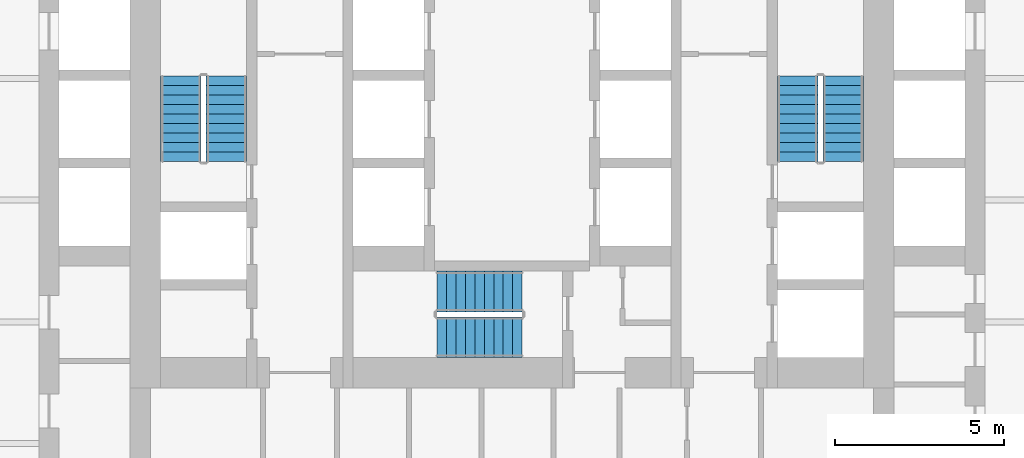
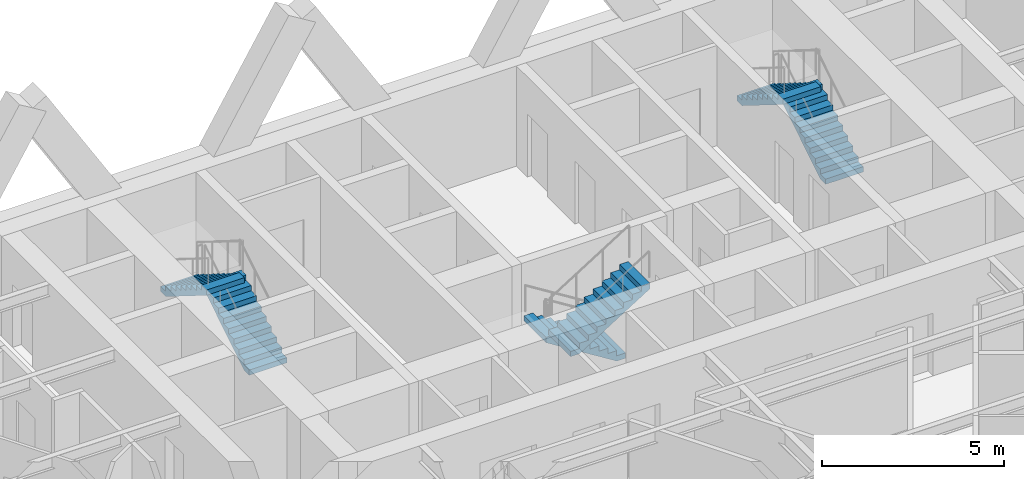
# One storey, part 11 of 12: 6 stair flights, 3 elements without a shape of their own.
"""IFC4 building model written with IfcOpenShell, lengths in metres."""

from ifc_helpers import new_model, si_unit, direction, frame, origin, place, context, subcontext, project, spatial, polyline, outline, extrude, material, type_object, element, aggregate, save


model = new_model("IFC4")

# Units and contexts
model_context = context("Model", 3, precision=1e-05, world=origin(), true_north=direction((0.0, 1.0)))
body_context = subcontext(model_context, "Body", "Model", "MODEL_VIEW")
ifc_project = project(units=[si_unit("LENGTHUNIT", "METRE"), si_unit("AREAUNIT", "SQUARE_METRE"), si_unit("VOLUMEUNIT", "CUBIC_METRE"), si_unit("PLANEANGLEUNIT", "RADIAN"), si_unit("MASSUNIT", "GRAM", prefix="KILO")], contexts=[model_context])

# Site, building, storey
site_placement = place(None, origin())
site = spatial("IfcSite", under=ifc_project, at=site_placement, CompositionType="ELEMENT")
building_placement = place(site_placement, origin())
building = spatial("IfcBuilding", under=site, at=building_placement, Name="Aloe Facet Convention Tower", CompositionType="ELEMENT")
storey_placement = place(building_placement, frame((0.0, 0.0, 102.800048828125)))
storey = spatial("IfcBuildingStorey", under=building, at=storey_placement, Name="L25", CompositionType="ELEMENT", Elevation=102.800048828125)

# Stair, stair flights
ifc_material_1 = material(Name="Concrete C50/60", Category="concrete")
stair_type = type_object("IfcStairType", Name="CR-ST-20R", PredefinedType="HALF_TURN_STAIR", material=ifc_material_1)
stair_1_placement = place(storey_placement, origin())
stair_1 = element("IfcStair", 1, at=stair_1_placement, inside=storey, type_object=stair_type, Name="L25 Protected exit stair ST1", PredefinedType="HALF_TURN_STAIR")
ifc_material_2 = material(Name="Concrete C50/60", Category="concrete")
stair_flight_type = type_object("IfcStairFlightType", Name="CR-SFL-20R", PredefinedType="STRAIGHT", material=ifc_material_2)
stair_flight_1_placement = place(storey_placement, frame((71.550048828125, 128.949951171875, 0.0), z_axis=(0.0, 0.0, 1.0), x_axis=(0.0, 1.0, 0.0)))
stair_flight_1 = element("IfcStairFlight", 2, at=stair_flight_1_placement, type_object=stair_flight_type, Name="ST1 flight 1", NumberOfRisers=10, NumberOfTreads=9, PredefinedType="STRAIGHT", RiserHeight=0.175, TreadLength=0.28, context=body_context, shape_type="SweptSolid", body=[
    extrude(outline(polyline([(0.0, 0.0), (0.0, 0.175048828125), (0.280029296875, 0.175048828125), (0.280029296875, 0.35009765625), (0.56005859375, 0.35009765625), (0.56005859375, 0.52490234375), (0.840087890625, 0.52490234375), (0.840087890625, 0.699951171875), (1.1201171875, 0.699951171875), (1.1201171875, 0.875), (1.39990234375, 0.875), (1.39990234375, 1.050048828125), (1.679931640625, 1.050048828125), (1.679931640625, 1.22509765625), (1.9599609375, 1.22509765625), (1.9599609375, 1.39990234375), (2.239990234375, 1.39990234375), (2.239990234375, 1.574951171875), (2.52001953125, 1.574951171875), (2.52001953125, 1.75), (2.52001953125, 1.398193359375), (0.28271484375, 0.0), (0.0, 0.0)])), frame((0.0, 0.60009765625, 0.0), z_axis=(0.0, -1.0, 0.0), x_axis=(1.0, 0.0, 0.0)), (0.0, 0.0, 1.0), 1.199951171875),
])
stair_flight_2_placement = place(storey_placement, frame((70.199951171875, 131.469970703125, 1.75), z_axis=(0.0, 0.0, 1.0), x_axis=(0.0, -1.0, 0.0)))
stair_flight_2 = element("IfcStairFlight", 3, at=stair_flight_2_placement, type_object=stair_flight_type, Name="ST1 flight 2", NumberOfRisers=10, NumberOfTreads=9, PredefinedType="STRAIGHT", RiserHeight=0.175, TreadLength=0.28, context=body_context, shape_type="SweptSolid", body=[
    extrude(outline(polyline([(0.0, 0.0), (0.0, 0.175048828125), (0.280029296875, 0.175048828125), (0.280029296875, 0.35009765625), (0.56005859375, 0.35009765625), (0.56005859375, 0.52490234375), (0.840087890625, 0.52490234375), (0.840087890625, 0.699951171875), (1.1201171875, 0.699951171875), (1.1201171875, 0.875), (1.39990234375, 0.875), (1.39990234375, 1.050048828125), (1.679931640625, 1.050048828125), (1.679931640625, 1.22509765625), (1.9599609375, 1.22509765625), (1.9599609375, 1.39990234375), (2.239990234375, 1.39990234375), (2.239990234375, 1.574951171875), (2.52001953125, 1.574951171875), (2.52001953125, 1.75), (2.52001953125, 1.398193359375), (0.28271484375, 0.0), (0.0, 0.0)])), frame((0.0, 0.60009765625, 0.0), z_axis=(0.0, -1.0, 0.0), x_axis=(1.0, 0.0, 0.0)), (0.0, 0.0, 1.0), 1.199951171875),
])
aggregate(stair_1, [stair_flight_1, stair_flight_2])

stair_2_placement = place(storey_placement, origin())
stair_2 = element("IfcStair", 4, at=stair_2_placement, inside=storey, type_object=stair_type, Name="L25 Protected exit stair ST2", PredefinedType="HALF_TURN_STAIR")
stair_flight_3_placement = place(storey_placement, frame((89.800048828125, 128.949951171875, 0.0), z_axis=(0.0, 0.0, 1.0), x_axis=(0.0, 1.0, 0.0)))
stair_flight_3 = element("IfcStairFlight", 5, at=stair_flight_3_placement, type_object=stair_flight_type, Name="ST2 flight 1", NumberOfRisers=10, NumberOfTreads=9, PredefinedType="STRAIGHT", RiserHeight=0.175, TreadLength=0.28, context=body_context, shape_type="SweptSolid", body=[
    extrude(outline(polyline([(0.0, 0.0), (0.0, 0.175048828125), (0.280029296875, 0.175048828125), (0.280029296875, 0.35009765625), (0.56005859375, 0.35009765625), (0.56005859375, 0.52490234375), (0.840087890625, 0.52490234375), (0.840087890625, 0.699951171875), (1.1201171875, 0.699951171875), (1.1201171875, 0.875), (1.39990234375, 0.875), (1.39990234375, 1.050048828125), (1.679931640625, 1.050048828125), (1.679931640625, 1.22509765625), (1.9599609375, 1.22509765625), (1.9599609375, 1.39990234375), (2.239990234375, 1.39990234375), (2.239990234375, 1.574951171875), (2.52001953125, 1.574951171875), (2.52001953125, 1.75), (2.52001953125, 1.398193359375), (0.28271484375, 0.0), (0.0, 0.0)])), frame((0.0, 0.60009765625, 0.0), z_axis=(0.0, -1.0, 0.0), x_axis=(1.0, 0.0, 0.0)), (0.0, 0.0, 1.0), 1.199951171875),
])
stair_flight_4_placement = place(storey_placement, frame((88.449951171875, 131.469970703125, 1.75), z_axis=(0.0, 0.0, 1.0), x_axis=(0.0, -1.0, 0.0)))
stair_flight_4 = element("IfcStairFlight", 6, at=stair_flight_4_placement, type_object=stair_flight_type, Name="ST2 flight 2", NumberOfRisers=10, NumberOfTreads=9, PredefinedType="STRAIGHT", RiserHeight=0.175, TreadLength=0.28, context=body_context, shape_type="SweptSolid", body=[
    extrude(outline(polyline([(0.0, 0.0), (0.0, 0.175048828125), (0.280029296875, 0.175048828125), (0.280029296875, 0.35009765625), (0.56005859375, 0.35009765625), (0.56005859375, 0.52490234375), (0.840087890625, 0.52490234375), (0.840087890625, 0.699951171875), (1.1201171875, 0.699951171875), (1.1201171875, 0.875), (1.39990234375, 0.875), (1.39990234375, 1.050048828125), (1.679931640625, 1.050048828125), (1.679931640625, 1.22509765625), (1.9599609375, 1.22509765625), (1.9599609375, 1.39990234375), (2.239990234375, 1.39990234375), (2.239990234375, 1.574951171875), (2.52001953125, 1.574951171875), (2.52001953125, 1.75), (2.52001953125, 1.398193359375), (0.28271484375, 0.0), (0.0, 0.0)])), frame((0.0, 0.60009765625, 0.0), z_axis=(0.0, -1.0, 0.0), x_axis=(1.0, 0.0, 0.0)), (0.0, 0.0, 1.0), 1.199951171875),
])
aggregate(stair_2, [stair_flight_3, stair_flight_4])

stair_3_placement = place(storey_placement, origin())
stair_3 = element("IfcStair", 7, at=stair_3_placement, inside=storey, type_object=stair_type, Name="L25 Protected exit stair ST3", PredefinedType="HALF_TURN_STAIR")
stair_flight_5_placement = place(storey_placement, frame((80.300048828125, 125.10009765625, 0.0), z_axis=(0.0, 0.0, 1.0), x_axis=(-1.0, 0.0, 0.0)))
stair_flight_5 = element("IfcStairFlight", 8, at=stair_flight_5_placement, type_object=stair_flight_type, Name="ST3 flight 1", NumberOfRisers=10, NumberOfTreads=9, PredefinedType="STRAIGHT", RiserHeight=0.175, TreadLength=0.28, context=body_context, shape_type="SweptSolid", body=[
    extrude(outline(polyline([(0.0, 0.0), (0.0, 0.175048828125), (0.280029296875, 0.175048828125), (0.280029296875, 0.35009765625), (0.56005859375, 0.35009765625), (0.56005859375, 0.52490234375), (0.840087890625, 0.52490234375), (0.840087890625, 0.699951171875), (1.1201171875, 0.699951171875), (1.1201171875, 0.875), (1.39990234375, 0.875), (1.39990234375, 1.050048828125), (1.679931640625, 1.050048828125), (1.679931640625, 1.22509765625), (1.9599609375, 1.22509765625), (1.9599609375, 1.39990234375), (2.239990234375, 1.39990234375), (2.239990234375, 1.574951171875), (2.52001953125, 1.574951171875), (2.52001953125, 1.75), (2.52001953125, 1.398193359375), (0.28271484375, 0.0), (0.0, 0.0)])), frame((0.0, 0.60009765625, 0.0), z_axis=(0.0, -1.0, 0.0), x_axis=(1.0, 0.0, 0.0)), (0.0, 0.0, 1.0), 1.199951171875),
])
stair_flight_6_placement = place(storey_placement, frame((77.780029296875, 123.75, 1.75), z_axis=(0.0, 0.0, 1.0), x_axis=(1.0, 0.0, 0.0)))
stair_flight_6 = element("IfcStairFlight", 9, at=stair_flight_6_placement, type_object=stair_flight_type, Name="ST3 flight 2", NumberOfRisers=10, NumberOfTreads=9, PredefinedType="STRAIGHT", RiserHeight=0.175, TreadLength=0.28, context=body_context, shape_type="SweptSolid", body=[
    extrude(outline(polyline([(0.0, 0.0), (0.0, 0.175048828125), (0.280029296875, 0.175048828125), (0.280029296875, 0.35009765625), (0.56005859375, 0.35009765625), (0.56005859375, 0.52490234375), (0.840087890625, 0.52490234375), (0.840087890625, 0.699951171875), (1.1201171875, 0.699951171875), (1.1201171875, 0.875), (1.39990234375, 0.875), (1.39990234375, 1.050048828125), (1.679931640625, 1.050048828125), (1.679931640625, 1.22509765625), (1.9599609375, 1.22509765625), (1.9599609375, 1.39990234375), (2.239990234375, 1.39990234375), (2.239990234375, 1.574951171875), (2.52001953125, 1.574951171875), (2.52001953125, 1.75), (2.52001953125, 1.398193359375), (0.28271484375, 0.0), (0.0, 0.0)])), frame((0.0, 0.60009765625, 0.0), z_axis=(0.0, -1.0, 0.0), x_axis=(1.0, 0.0, 0.0)), (0.0, 0.0, 1.0), 1.199951171875),
])
aggregate(stair_3, [stair_flight_5, stair_flight_6])

save(model, "model.ifc")
